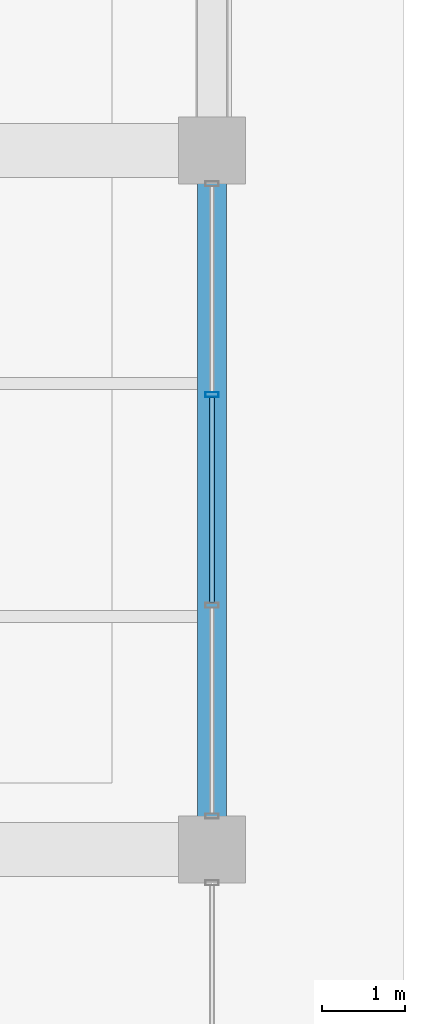
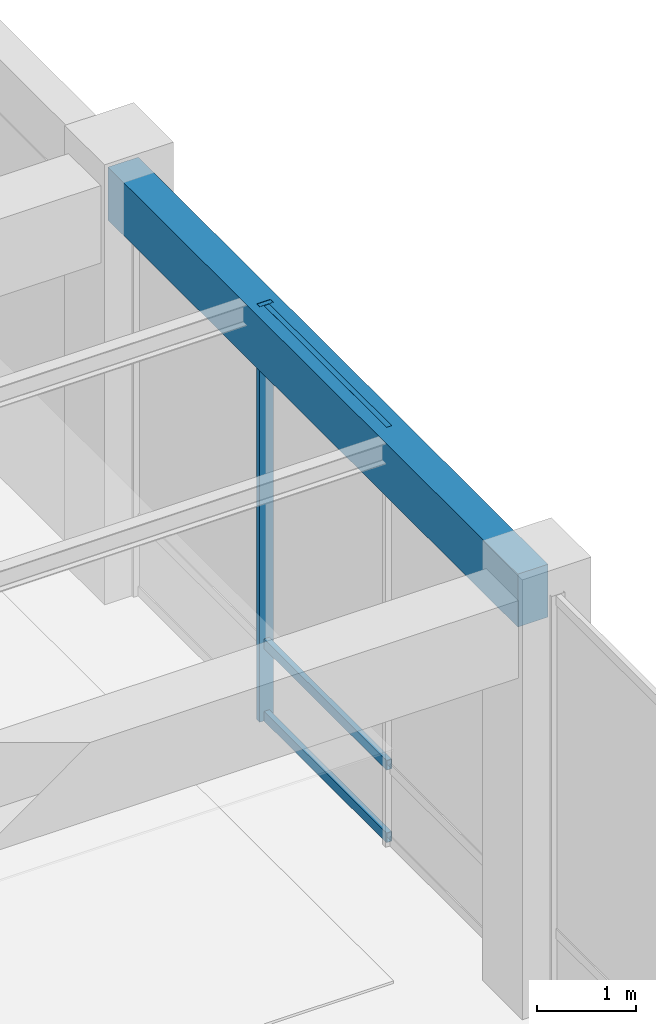
# One storey, part 87 of 157: 4 members, 1 beam, 1 element without a shape of its own.
"""IFC4 building model written with IfcOpenShell, lengths in metres."""

from ifc_helpers import new_model, si_unit, direction, frame, origin, origin_2d, place, context, subcontext, project, spatial, rectangle, hollow_rectangle, extrude, material, material_profile, profile_set, type_object, element, aggregate, save


model = new_model("IFC4")

# Units and contexts
model_context = context("Model", 3, precision=1e-05, world=origin(), true_north=direction((0.0, 1.0)))
body_context = subcontext(model_context, "Body", "Model", "MODEL_VIEW")
ifc_project = project(units=[si_unit("LENGTHUNIT", "METRE"), si_unit("AREAUNIT", "SQUARE_METRE"), si_unit("VOLUMEUNIT", "CUBIC_METRE"), si_unit("PLANEANGLEUNIT", "RADIAN"), si_unit("MASSUNIT", "GRAM", prefix="KILO"), si_unit("THERMODYNAMICTEMPERATUREUNIT", "KELVIN"), si_unit("POWERUNIT", "WATT")], contexts=[model_context])

# Site, building, storey
site_placement = place(None, origin())
site = spatial("IfcSite", under=ifc_project, at=site_placement, CompositionType="ELEMENT")
building_placement = place(site_placement, origin())
building = spatial("IfcBuilding", under=site, at=building_placement, Name="Darbajah Civic Hall", CompositionType="ELEMENT")
storey_placement = place(building_placement, origin())
storey = spatial("IfcBuildingStorey", under=building, at=storey_placement, Name="L00", CompositionType="ELEMENT", Elevation=0.0)

# Curtain wall, members
ifc_material_1 = material(Name="Anodised Bronze Aluminium and Low-E Glazing", Category="aluminium")
curtain_wall_type = type_object("IfcCurtainWallType", Name="Unitised Curtain Wall CW-17 7600x5100", PredefinedType="USERDEFINED", material=ifc_material_1)
curtain_wall_placement = place(storey_placement, origin())
curtain_wall = element("IfcCurtainWall", 1, at=curtain_wall_placement, inside=storey, type_object=curtain_wall_type, Name="L00 unitised curtain wall CW-V3-L00-S1-B1", ObjectType="UNITISED CURTAIN WALL", PredefinedType="USERDEFINED")
ifc_material_2 = material(Name="Anodised Bronze Aluminium", Category="aluminium")
ifc_material_profile_1 = material_profile(ifc_material_2, hollow_rectangle(XDim=0.06005859375, YDim=0.159912109375, WallThickness=0.00341796875, at=origin_2d()), Name="ALU MULLION 60x160")
ifc_profile_set_1 = profile_set([ifc_material_profile_1], Name="Anodised Bronze Aluminium")
member_type_1 = type_object("IfcMemberType", Name="ALU MULLION 60x160", PredefinedType="MULLION", material=ifc_profile_set_1)
member_1_placement = place(storey_placement, frame((178.199951171875, 13.865966796875, 0.0), z_axis=(0.0, 0.0, 1.0), x_axis=(0.0, 1.0, 0.0)))
member_1 = element("IfcMember", 2, at=member_1_placement, type_object=member_type_1, Name="CW-V3-L00-S1-B1 mullion 3", PredefinedType="MULLION", context=body_context, shape_type="SweptSolid", body=[
    extrude(hollow_rectangle(XDim=0.06005859375, YDim=0.159912109375, WallThickness=0.00341796875, at=origin_2d()), origin(), (0.0, 0.0, 1.0), 5.10009765625),
])
ifc_material_profile_2 = material_profile(ifc_material_2, hollow_rectangle(XDim=0.06005859375, YDim=0.1201171875, WallThickness=0.003173828125, at=origin_2d()), Name="ALU TRANSOM 60x120")
ifc_profile_set_2 = profile_set([ifc_material_profile_2], Name="Anodised Bronze Aluminium")
member_type_2 = type_object("IfcMemberType", Name="ALU TRANSOM 60x120", PredefinedType="USERDEFINED", material=ifc_profile_set_2)
member_2_placement = place(storey_placement, frame((178.199951171875, 11.368896484375, 0.06005859375), z_axis=(0.0, 1.0, 0.0), x_axis=(-1.0, 0.0, 0.0)))
member_2 = element("IfcMember", 3, at=member_2_placement, type_object=member_type_2, Name="CW-V3-L00-S1-B1 transom 2.1", ObjectType="TRANSOM", PredefinedType="USERDEFINED", context=body_context, shape_type="SweptSolid", body=[
    extrude(hollow_rectangle(XDim=0.06005859375, YDim=0.1201171875, WallThickness=0.003173828125, at=origin_2d()), origin(), (0.0, 0.0, 1.0), 2.462158203125),
])
member_3_placement = place(storey_placement, frame((178.199951171875, 11.368896484375, 0.949951171875), z_axis=(0.0, 1.0, 0.0), x_axis=(-1.0, 0.0, 0.0)))
member_3 = element("IfcMember", 4, at=member_3_placement, type_object=member_type_2, Name="CW-V3-L00-S1-B1 transom 2.2", ObjectType="TRANSOM", PredefinedType="USERDEFINED", context=body_context, shape_type="SweptSolid", body=[
    extrude(hollow_rectangle(XDim=0.06005859375, YDim=0.1201171875, WallThickness=0.003173828125, at=origin_2d()), origin(), (0.0, 0.0, 1.0), 2.462158203125),
])
member_4_placement = place(storey_placement, frame((178.199951171875, 11.368896484375, 5.0400390625), z_axis=(0.0, 1.0, 0.0), x_axis=(-1.0, 0.0, 0.0)))
member_4 = element("IfcMember", 5, at=member_4_placement, type_object=member_type_2, Name="CW-V3-L00-S1-B1 transom 2.3", ObjectType="TRANSOM", PredefinedType="USERDEFINED", context=body_context, shape_type="SweptSolid", body=[
    extrude(hollow_rectangle(XDim=0.06005859375, YDim=0.1201171875, WallThickness=0.003173828125, at=origin_2d()), origin(), (0.0, 0.0, 1.0), 2.462158203125),
])
aggregate(curtain_wall, [member_1, member_2, member_3, member_4])

# Beam
ifc_material_3 = material(Name="Concrete C45/55", Category="concrete")
ifc_material_profile_3 = material_profile(ifc_material_3, rectangle(XDim=0.35009765625, YDim=0.64990234375, at=origin_2d()), Name="RC SPANDREL 350x650")
ifc_profile_set_3 = profile_set([ifc_material_profile_3], Name="Concrete C45/55")
beam_type = type_object("IfcBeamType", Name="RC SPANDREL 350x650", PredefinedType="SPANDREL", material=ifc_profile_set_3)
beam_placement = place(storey_placement, frame((178.199951171875, 8.47998046875, 4.77490234375), z_axis=(0.0, 1.0, 0.0), x_axis=(-1.0, 0.0, 0.0)))
element("IfcBeam", 6, at=beam_placement, inside=storey, type_object=beam_type, Name="L00 beam SP-3565", PredefinedType="SPANDREL", context=body_context, shape_type="SweptSolid", body=[
    extrude(rectangle(XDim=0.35009765625, YDim=0.64990234375, at=origin_2d()), origin(), (0.0, 0.0, 1.0), 8.239990234375),
])

save(model, "model.ifc")
